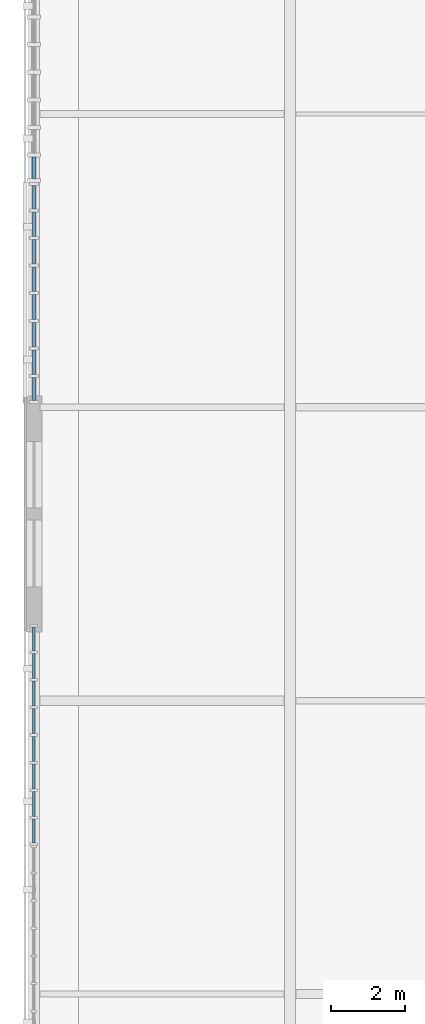
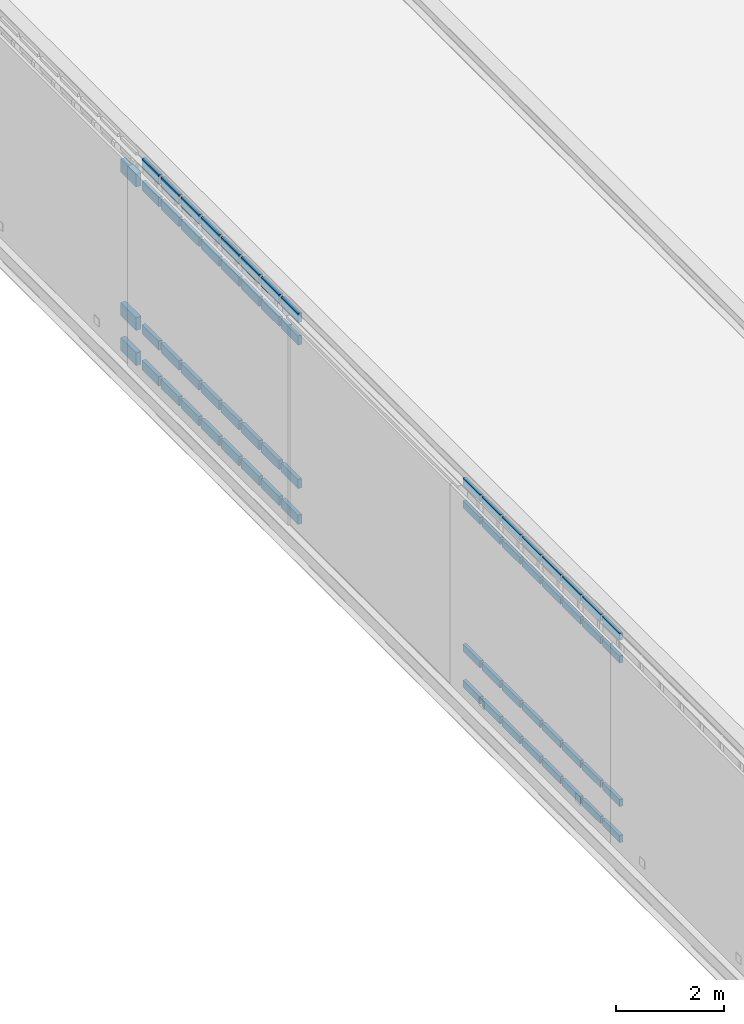
# One storey, part 55 of 135: 67 members, 3 elements without a shape of their own.
"""IFC4 building model written with IfcOpenShell, lengths in metres."""

from ifc_helpers import new_model, si_unit, direction, frame, origin, origin_2d, place, context, subcontext, project, spatial, rectangle, extrude, material, material_profile, profile_set, type_object, element, aggregate, save


model = new_model("IFC4")

# Units and contexts
model_context = context("Model", 3, precision=1e-05, world=origin(), true_north=direction((0.0, 1.0)))
body_context = subcontext(model_context, "Body", "Model", "MODEL_VIEW")
ifc_project = project(units=[si_unit("LENGTHUNIT", "METRE"), si_unit("AREAUNIT", "SQUARE_METRE"), si_unit("VOLUMEUNIT", "CUBIC_METRE"), si_unit("PLANEANGLEUNIT", "RADIAN"), si_unit("MASSUNIT", "GRAM", prefix="KILO")], contexts=[model_context])

# Site, building, storey
site_placement = place(None, origin())
site = spatial("IfcSite", under=ifc_project, at=site_placement, CompositionType="ELEMENT")
building_placement = place(site_placement, origin())
building = spatial("IfcBuilding", under=site, at=building_placement, Name="Larkvane Passage Sports Hall", CompositionType="ELEMENT")
storey_placement = place(building_placement, frame((0.0, 0.0, 16.800048828125)))
storey = spatial("IfcBuildingStorey", under=building, at=storey_placement, Name="L03", CompositionType="ELEMENT", Elevation=16.800048828125)

# Curtain wall, members
ifc_material_1 = material(Name="Thermally broken aluminium and low-E glazing", Category="aluminium")
curtain_wall_type_1 = type_object("IfcCurtainWallType", Name="CW-CLINIC", PredefinedType="USERDEFINED", material=ifc_material_1)
curtain_wall_1_placement = place(storey_placement, origin())
curtain_wall_1 = element("IfcCurtainWall", 1, at=curtain_wall_1_placement, inside=storey, type_object=curtain_wall_type_1, Name="Curtain wall CW5-L03-135", ObjectType="UNITISED CURTAIN WALL", PredefinedType="USERDEFINED")
ifc_material_2 = material(Name="Anodised aluminium 6063-T6", Category="aluminium")
ifc_material_profile_1 = material_profile(ifc_material_2, rectangle(XDim=0.110107421875, YDim=0.2900390625, at=origin_2d()), Name="ALU-TRN-110x290")
ifc_profile_set_1 = profile_set([ifc_material_profile_1], Name="Anodised aluminium 6063-T6")
member_type_1 = type_object("IfcMemberType", Name="CW-TRN-110x290", PredefinedType="USERDEFINED", material=ifc_profile_set_1)
member_1_placement = place(storey_placement, frame((0.0, 81.4599609375, 0.054931640625), z_axis=(0.0, 1.0, 0.0), x_axis=(-1.0, 0.0, 0.0)))
member_1 = element("IfcMember", 2, at=member_1_placement, type_object=member_type_1, Name="CW-05 transom 1.1", ObjectType="TRANSOM", PredefinedType="USERDEFINED", context=body_context, shape_type="SweptSolid", body=[
    extrude(rectangle(XDim=0.110107421875, YDim=0.2900390625, at=origin_2d()), origin(), (0.0, 0.0, 1.0), 0.578857421875),
])
member_2_placement = place(storey_placement, frame((0.0, 81.4599609375, 0.849853515625), z_axis=(0.0, 1.0, 0.0), x_axis=(-1.0, 0.0, 0.0)))
member_2 = element("IfcMember", 3, at=member_2_placement, type_object=member_type_1, Name="CW-05 transom 1.2", ObjectType="TRANSOM", PredefinedType="USERDEFINED", context=body_context, shape_type="SweptSolid", body=[
    extrude(rectangle(XDim=0.110107421875, YDim=0.2900390625, at=origin_2d()), origin(), (0.0, 0.0, 1.0), 0.578857421875),
])
member_3_placement = place(storey_placement, frame((0.0, 81.4599609375, 4.097900390625), z_axis=(0.0, 1.0, 0.0), x_axis=(-1.0, 0.0, 0.0)))
member_3 = element("IfcMember", 4, at=member_3_placement, type_object=member_type_1, Name="CW-05 transom 1.3", ObjectType="TRANSOM", PredefinedType="USERDEFINED", context=body_context, shape_type="SweptSolid", body=[
    extrude(rectangle(XDim=0.110107421875, YDim=0.2900390625, at=origin_2d()), origin(), (0.0, 0.0, 1.0), 0.578857421875),
])
aggregate(curtain_wall_1, [member_1, member_2, member_3])

curtain_wall_type_2 = type_object("IfcCurtainWallType", Name="CW-UNIT-VEIL", PredefinedType="USERDEFINED", material=ifc_material_1)
curtain_wall_2_placement = place(storey_placement, origin())
curtain_wall_2 = element("IfcCurtainWall", 5, at=curtain_wall_2_placement, inside=storey, type_object=curtain_wall_type_2, Name="Curtain wall CW5-L03-133", ObjectType="UNITISED CURTAIN WALL", PredefinedType="USERDEFINED")
ifc_material_profile_2 = material_profile(ifc_material_2, rectangle(XDim=0.070068359375, YDim=0.159912109375, at=origin_2d()), Name="ALU-TRN-70x160")
ifc_profile_set_2 = profile_set([ifc_material_profile_2], Name="Anodised aluminium 6063-T6")
member_type_2 = type_object("IfcMemberType", Name="CW-TRN-70x160", PredefinedType="USERDEFINED", material=ifc_profile_set_2)
member_4_placement = place(storey_placement, frame((0.0, 63.570068359375, 0.034912109375), z_axis=(0.0, 1.0, 0.0), x_axis=(-1.0, 0.0, 0.0)))
member_4 = element("IfcMember", 6, at=member_4_placement, type_object=member_type_2, Name="CW-02 transom 1.1", ObjectType="TRANSOM", PredefinedType="USERDEFINED", context=body_context, shape_type="SweptSolid", body=[
    extrude(rectangle(XDim=0.070068359375, YDim=0.159912109375, at=origin_2d()), origin(), (0.0, 0.0, 1.0), 0.638671875),
])
member_5_placement = place(storey_placement, frame((0.0, 63.570068359375, 0.849853515625), z_axis=(0.0, 1.0, 0.0), x_axis=(-1.0, 0.0, 0.0)))
member_5 = element("IfcMember", 7, at=member_5_placement, type_object=member_type_2, Name="CW-02 transom 1.2", ObjectType="TRANSOM", PredefinedType="USERDEFINED", context=body_context, shape_type="SweptSolid", body=[
    extrude(rectangle(XDim=0.070068359375, YDim=0.159912109375, at=origin_2d()), origin(), (0.0, 0.0, 1.0), 0.638671875),
])
member_6_placement = place(storey_placement, frame((0.0, 63.570068359375, 4.097900390625), z_axis=(0.0, 1.0, 0.0), x_axis=(-1.0, 0.0, 0.0)))
member_6 = element("IfcMember", 8, at=member_6_placement, type_object=member_type_2, Name="CW-02 transom 1.3", ObjectType="TRANSOM", PredefinedType="USERDEFINED", context=body_context, shape_type="SweptSolid", body=[
    extrude(rectangle(XDim=0.070068359375, YDim=0.159912109375, at=origin_2d()), origin(), (0.0, 0.0, 1.0), 0.638671875),
])
member_7_placement = place(storey_placement, frame((0.0, 63.570068359375, 4.613037109375), z_axis=(0.0, 1.0, 0.0), x_axis=(-1.0, 0.0, 0.0)))
member_7 = element("IfcMember", 9, at=member_7_placement, type_object=member_type_2, Name="CW-02 transom 1.4", ObjectType="TRANSOM", PredefinedType="USERDEFINED", context=body_context, shape_type="SweptSolid", body=[
    extrude(rectangle(XDim=0.070068359375, YDim=0.159912109375, at=origin_2d()), origin(), (0.0, 0.0, 1.0), 0.638671875),
])
member_8_placement = place(storey_placement, frame((0.0, 64.27880859375, 0.034912109375), z_axis=(0.0, 1.0, 0.0), x_axis=(-1.0, 0.0, 0.0)))
member_8 = element("IfcMember", 10, at=member_8_placement, type_object=member_type_2, Name="CW-02 transom 2.1", ObjectType="TRANSOM", PredefinedType="USERDEFINED", context=body_context, shape_type="SweptSolid", body=[
    extrude(rectangle(XDim=0.070068359375, YDim=0.159912109375, at=origin_2d()), origin(), (0.0, 0.0, 1.0), 0.673583984375),
])
member_9_placement = place(storey_placement, frame((0.0, 64.27880859375, 0.849853515625), z_axis=(0.0, 1.0, 0.0), x_axis=(-1.0, 0.0, 0.0)))
member_9 = element("IfcMember", 11, at=member_9_placement, type_object=member_type_2, Name="CW-02 transom 2.2", ObjectType="TRANSOM", PredefinedType="USERDEFINED", context=body_context, shape_type="SweptSolid", body=[
    extrude(rectangle(XDim=0.070068359375, YDim=0.159912109375, at=origin_2d()), origin(), (0.0, 0.0, 1.0), 0.673583984375),
])
member_10_placement = place(storey_placement, frame((0.0, 64.27880859375, 4.097900390625), z_axis=(0.0, 1.0, 0.0), x_axis=(-1.0, 0.0, 0.0)))
member_10 = element("IfcMember", 12, at=member_10_placement, type_object=member_type_2, Name="CW-02 transom 2.3", ObjectType="TRANSOM", PredefinedType="USERDEFINED", context=body_context, shape_type="SweptSolid", body=[
    extrude(rectangle(XDim=0.070068359375, YDim=0.159912109375, at=origin_2d()), origin(), (0.0, 0.0, 1.0), 0.673583984375),
])
member_11_placement = place(storey_placement, frame((0.0, 64.27880859375, 4.613037109375), z_axis=(0.0, 1.0, 0.0), x_axis=(-1.0, 0.0, 0.0)))
member_11 = element("IfcMember", 13, at=member_11_placement, type_object=member_type_2, Name="CW-02 transom 2.4", ObjectType="TRANSOM", PredefinedType="USERDEFINED", context=body_context, shape_type="SweptSolid", body=[
    extrude(rectangle(XDim=0.070068359375, YDim=0.159912109375, at=origin_2d()), origin(), (0.0, 0.0, 1.0), 0.673583984375),
])
member_12_placement = place(storey_placement, frame((0.0, 65.0224609375, 0.034912109375), z_axis=(0.0, 1.0, 0.0), x_axis=(-1.0, 0.0, 0.0)))
member_12 = element("IfcMember", 14, at=member_12_placement, type_object=member_type_2, Name="CW-02 transom 3.1", ObjectType="TRANSOM", PredefinedType="USERDEFINED", context=body_context, shape_type="SweptSolid", body=[
    extrude(rectangle(XDim=0.070068359375, YDim=0.159912109375, at=origin_2d()), origin(), (0.0, 0.0, 1.0), 0.673828125),
])
member_13_placement = place(storey_placement, frame((0.0, 65.0224609375, 0.849853515625), z_axis=(0.0, 1.0, 0.0), x_axis=(-1.0, 0.0, 0.0)))
member_13 = element("IfcMember", 15, at=member_13_placement, type_object=member_type_2, Name="CW-02 transom 3.2", ObjectType="TRANSOM", PredefinedType="USERDEFINED", context=body_context, shape_type="SweptSolid", body=[
    extrude(rectangle(XDim=0.070068359375, YDim=0.159912109375, at=origin_2d()), origin(), (0.0, 0.0, 1.0), 0.673828125),
])
member_14_placement = place(storey_placement, frame((0.0, 65.0224609375, 4.097900390625), z_axis=(0.0, 1.0, 0.0), x_axis=(-1.0, 0.0, 0.0)))
member_14 = element("IfcMember", 16, at=member_14_placement, type_object=member_type_2, Name="CW-02 transom 3.3", ObjectType="TRANSOM", PredefinedType="USERDEFINED", context=body_context, shape_type="SweptSolid", body=[
    extrude(rectangle(XDim=0.070068359375, YDim=0.159912109375, at=origin_2d()), origin(), (0.0, 0.0, 1.0), 0.673828125),
])
member_15_placement = place(storey_placement, frame((0.0, 65.0224609375, 4.613037109375), z_axis=(0.0, 1.0, 0.0), x_axis=(-1.0, 0.0, 0.0)))
member_15 = element("IfcMember", 17, at=member_15_placement, type_object=member_type_2, Name="CW-02 transom 3.4", ObjectType="TRANSOM", PredefinedType="USERDEFINED", context=body_context, shape_type="SweptSolid", body=[
    extrude(rectangle(XDim=0.070068359375, YDim=0.159912109375, at=origin_2d()), origin(), (0.0, 0.0, 1.0), 0.673828125),
])
member_16_placement = place(storey_placement, frame((0.0, 65.766357421875, 0.034912109375), z_axis=(0.0, 1.0, 0.0), x_axis=(-1.0, 0.0, 0.0)))
member_16 = element("IfcMember", 18, at=member_16_placement, type_object=member_type_2, Name="CW-02 transom 4.1", ObjectType="TRANSOM", PredefinedType="USERDEFINED", context=body_context, shape_type="SweptSolid", body=[
    extrude(rectangle(XDim=0.070068359375, YDim=0.159912109375, at=origin_2d()), origin(), (0.0, 0.0, 1.0), 0.673583984375),
])
member_17_placement = place(storey_placement, frame((0.0, 65.766357421875, 0.849853515625), z_axis=(0.0, 1.0, 0.0), x_axis=(-1.0, 0.0, 0.0)))
member_17 = element("IfcMember", 19, at=member_17_placement, type_object=member_type_2, Name="CW-02 transom 4.2", ObjectType="TRANSOM", PredefinedType="USERDEFINED", context=body_context, shape_type="SweptSolid", body=[
    extrude(rectangle(XDim=0.070068359375, YDim=0.159912109375, at=origin_2d()), origin(), (0.0, 0.0, 1.0), 0.673583984375),
])
member_18_placement = place(storey_placement, frame((0.0, 65.766357421875, 4.097900390625), z_axis=(0.0, 1.0, 0.0), x_axis=(-1.0, 0.0, 0.0)))
member_18 = element("IfcMember", 20, at=member_18_placement, type_object=member_type_2, Name="CW-02 transom 4.3", ObjectType="TRANSOM", PredefinedType="USERDEFINED", context=body_context, shape_type="SweptSolid", body=[
    extrude(rectangle(XDim=0.070068359375, YDim=0.159912109375, at=origin_2d()), origin(), (0.0, 0.0, 1.0), 0.673583984375),
])
member_19_placement = place(storey_placement, frame((0.0, 65.766357421875, 4.613037109375), z_axis=(0.0, 1.0, 0.0), x_axis=(-1.0, 0.0, 0.0)))
member_19 = element("IfcMember", 21, at=member_19_placement, type_object=member_type_2, Name="CW-02 transom 4.4", ObjectType="TRANSOM", PredefinedType="USERDEFINED", context=body_context, shape_type="SweptSolid", body=[
    extrude(rectangle(XDim=0.070068359375, YDim=0.159912109375, at=origin_2d()), origin(), (0.0, 0.0, 1.0), 0.673583984375),
])
member_20_placement = place(storey_placement, frame((0.0, 66.510009765625, 0.034912109375), z_axis=(0.0, 1.0, 0.0), x_axis=(-1.0, 0.0, 0.0)))
member_20 = element("IfcMember", 22, at=member_20_placement, type_object=member_type_2, Name="CW-02 transom 5.1", ObjectType="TRANSOM", PredefinedType="USERDEFINED", context=body_context, shape_type="SweptSolid", body=[
    extrude(rectangle(XDim=0.070068359375, YDim=0.159912109375, at=origin_2d()), origin(), (0.0, 0.0, 1.0), 0.673828125),
])
member_21_placement = place(storey_placement, frame((0.0, 66.510009765625, 0.849853515625), z_axis=(0.0, 1.0, 0.0), x_axis=(-1.0, 0.0, 0.0)))
member_21 = element("IfcMember", 23, at=member_21_placement, type_object=member_type_2, Name="CW-02 transom 5.2", ObjectType="TRANSOM", PredefinedType="USERDEFINED", context=body_context, shape_type="SweptSolid", body=[
    extrude(rectangle(XDim=0.070068359375, YDim=0.159912109375, at=origin_2d()), origin(), (0.0, 0.0, 1.0), 0.673828125),
])
member_22_placement = place(storey_placement, frame((0.0, 66.510009765625, 4.097900390625), z_axis=(0.0, 1.0, 0.0), x_axis=(-1.0, 0.0, 0.0)))
member_22 = element("IfcMember", 24, at=member_22_placement, type_object=member_type_2, Name="CW-02 transom 5.3", ObjectType="TRANSOM", PredefinedType="USERDEFINED", context=body_context, shape_type="SweptSolid", body=[
    extrude(rectangle(XDim=0.070068359375, YDim=0.159912109375, at=origin_2d()), origin(), (0.0, 0.0, 1.0), 0.673828125),
])
member_23_placement = place(storey_placement, frame((0.0, 66.510009765625, 4.613037109375), z_axis=(0.0, 1.0, 0.0), x_axis=(-1.0, 0.0, 0.0)))
member_23 = element("IfcMember", 25, at=member_23_placement, type_object=member_type_2, Name="CW-02 transom 5.4", ObjectType="TRANSOM", PredefinedType="USERDEFINED", context=body_context, shape_type="SweptSolid", body=[
    extrude(rectangle(XDim=0.070068359375, YDim=0.159912109375, at=origin_2d()), origin(), (0.0, 0.0, 1.0), 0.673828125),
])
member_24_placement = place(storey_placement, frame((0.0, 67.253662109375, 0.034912109375), z_axis=(0.0, 1.0, 0.0), x_axis=(-1.0, 0.0, 0.0)))
member_24 = element("IfcMember", 26, at=member_24_placement, type_object=member_type_2, Name="CW-02 transom 6.1", ObjectType="TRANSOM", PredefinedType="USERDEFINED", context=body_context, shape_type="SweptSolid", body=[
    extrude(rectangle(XDim=0.070068359375, YDim=0.159912109375, at=origin_2d()), origin(), (0.0, 0.0, 1.0), 0.673828125),
])
member_25_placement = place(storey_placement, frame((0.0, 67.253662109375, 0.849853515625), z_axis=(0.0, 1.0, 0.0), x_axis=(-1.0, 0.0, 0.0)))
member_25 = element("IfcMember", 27, at=member_25_placement, type_object=member_type_2, Name="CW-02 transom 6.2", ObjectType="TRANSOM", PredefinedType="USERDEFINED", context=body_context, shape_type="SweptSolid", body=[
    extrude(rectangle(XDim=0.070068359375, YDim=0.159912109375, at=origin_2d()), origin(), (0.0, 0.0, 1.0), 0.673828125),
])
member_26_placement = place(storey_placement, frame((0.0, 67.253662109375, 4.097900390625), z_axis=(0.0, 1.0, 0.0), x_axis=(-1.0, 0.0, 0.0)))
member_26 = element("IfcMember", 28, at=member_26_placement, type_object=member_type_2, Name="CW-02 transom 6.3", ObjectType="TRANSOM", PredefinedType="USERDEFINED", context=body_context, shape_type="SweptSolid", body=[
    extrude(rectangle(XDim=0.070068359375, YDim=0.159912109375, at=origin_2d()), origin(), (0.0, 0.0, 1.0), 0.673828125),
])
member_27_placement = place(storey_placement, frame((0.0, 67.253662109375, 4.613037109375), z_axis=(0.0, 1.0, 0.0), x_axis=(-1.0, 0.0, 0.0)))
member_27 = element("IfcMember", 29, at=member_27_placement, type_object=member_type_2, Name="CW-02 transom 6.4", ObjectType="TRANSOM", PredefinedType="USERDEFINED", context=body_context, shape_type="SweptSolid", body=[
    extrude(rectangle(XDim=0.070068359375, YDim=0.159912109375, at=origin_2d()), origin(), (0.0, 0.0, 1.0), 0.673828125),
])
member_28_placement = place(storey_placement, frame((0.0, 67.99755859375, 0.034912109375), z_axis=(0.0, 1.0, 0.0), x_axis=(-1.0, 0.0, 0.0)))
member_28 = element("IfcMember", 30, at=member_28_placement, type_object=member_type_2, Name="CW-02 transom 7.1", ObjectType="TRANSOM", PredefinedType="USERDEFINED", context=body_context, shape_type="SweptSolid", body=[
    extrude(rectangle(XDim=0.070068359375, YDim=0.159912109375, at=origin_2d()), origin(), (0.0, 0.0, 1.0), 0.673583984375),
])
member_29_placement = place(storey_placement, frame((0.0, 67.99755859375, 0.849853515625), z_axis=(0.0, 1.0, 0.0), x_axis=(-1.0, 0.0, 0.0)))
member_29 = element("IfcMember", 31, at=member_29_placement, type_object=member_type_2, Name="CW-02 transom 7.2", ObjectType="TRANSOM", PredefinedType="USERDEFINED", context=body_context, shape_type="SweptSolid", body=[
    extrude(rectangle(XDim=0.070068359375, YDim=0.159912109375, at=origin_2d()), origin(), (0.0, 0.0, 1.0), 0.673583984375),
])
member_30_placement = place(storey_placement, frame((0.0, 67.99755859375, 4.097900390625), z_axis=(0.0, 1.0, 0.0), x_axis=(-1.0, 0.0, 0.0)))
member_30 = element("IfcMember", 32, at=member_30_placement, type_object=member_type_2, Name="CW-02 transom 7.3", ObjectType="TRANSOM", PredefinedType="USERDEFINED", context=body_context, shape_type="SweptSolid", body=[
    extrude(rectangle(XDim=0.070068359375, YDim=0.159912109375, at=origin_2d()), origin(), (0.0, 0.0, 1.0), 0.673583984375),
])
member_31_placement = place(storey_placement, frame((0.0, 67.99755859375, 4.613037109375), z_axis=(0.0, 1.0, 0.0), x_axis=(-1.0, 0.0, 0.0)))
member_31 = element("IfcMember", 33, at=member_31_placement, type_object=member_type_2, Name="CW-02 transom 7.4", ObjectType="TRANSOM", PredefinedType="USERDEFINED", context=body_context, shape_type="SweptSolid", body=[
    extrude(rectangle(XDim=0.070068359375, YDim=0.159912109375, at=origin_2d()), origin(), (0.0, 0.0, 1.0), 0.673583984375),
])
member_32_placement = place(storey_placement, frame((0.0, 68.7412109375, 0.034912109375), z_axis=(0.0, 1.0, 0.0), x_axis=(-1.0, 0.0, 0.0)))
member_32 = element("IfcMember", 34, at=member_32_placement, type_object=member_type_2, Name="CW-02 transom 8.1", ObjectType="TRANSOM", PredefinedType="USERDEFINED", context=body_context, shape_type="SweptSolid", body=[
    extrude(rectangle(XDim=0.070068359375, YDim=0.159912109375, at=origin_2d()), origin(), (0.0, 0.0, 1.0), 0.638671875),
])
member_33_placement = place(storey_placement, frame((0.0, 68.7412109375, 0.849853515625), z_axis=(0.0, 1.0, 0.0), x_axis=(-1.0, 0.0, 0.0)))
member_33 = element("IfcMember", 35, at=member_33_placement, type_object=member_type_2, Name="CW-02 transom 8.2", ObjectType="TRANSOM", PredefinedType="USERDEFINED", context=body_context, shape_type="SweptSolid", body=[
    extrude(rectangle(XDim=0.070068359375, YDim=0.159912109375, at=origin_2d()), origin(), (0.0, 0.0, 1.0), 0.638671875),
])
member_34_placement = place(storey_placement, frame((0.0, 68.7412109375, 4.097900390625), z_axis=(0.0, 1.0, 0.0), x_axis=(-1.0, 0.0, 0.0)))
member_34 = element("IfcMember", 36, at=member_34_placement, type_object=member_type_2, Name="CW-02 transom 8.3", ObjectType="TRANSOM", PredefinedType="USERDEFINED", context=body_context, shape_type="SweptSolid", body=[
    extrude(rectangle(XDim=0.070068359375, YDim=0.159912109375, at=origin_2d()), origin(), (0.0, 0.0, 1.0), 0.638671875),
])
member_35_placement = place(storey_placement, frame((0.0, 68.7412109375, 4.613037109375), z_axis=(0.0, 1.0, 0.0), x_axis=(-1.0, 0.0, 0.0)))
member_35 = element("IfcMember", 37, at=member_35_placement, type_object=member_type_2, Name="CW-02 transom 8.4", ObjectType="TRANSOM", PredefinedType="USERDEFINED", context=body_context, shape_type="SweptSolid", body=[
    extrude(rectangle(XDim=0.070068359375, YDim=0.159912109375, at=origin_2d()), origin(), (0.0, 0.0, 1.0), 0.638671875),
])
aggregate(curtain_wall_2, [member_4, member_5, member_6, member_7, member_8, member_9, member_10, member_11, member_12, member_13, member_14, member_15, member_16, member_17, member_18, member_19, member_20, member_21, member_22, member_23, member_24, member_25, member_26, member_27, member_28, member_29, member_30, member_31, member_32, member_33, member_34, member_35])

curtain_wall_type_3 = type_object("IfcCurtainWallType", Name="CW-STICK-FOYER", PredefinedType="USERDEFINED", material=ifc_material_1)
curtain_wall_3_placement = place(storey_placement, origin())
curtain_wall_3 = element("IfcCurtainWall", 38, at=curtain_wall_3_placement, inside=storey, type_object=curtain_wall_type_3, Name="Curtain wall CW5-L03-134", ObjectType="STICK CURTAIN WALL", PredefinedType="USERDEFINED")
ifc_material_profile_3 = material_profile(ifc_material_2, rectangle(XDim=0.080078125, YDim=0.2099609375, at=origin_2d()), Name="ALU-TRN-80x210")
ifc_profile_set_3 = profile_set([ifc_material_profile_3], Name="Anodised aluminium 6063-T6")
member_type_3 = type_object("IfcMemberType", Name="CW-TRN-80x210", PredefinedType="USERDEFINED", material=ifc_profile_set_3)
member_36_placement = place(storey_placement, frame((0.0, 75.47998046875, 0.0400390625), z_axis=(0.0, 1.0, 0.0), x_axis=(-1.0, 0.0, 0.0)))
member_36 = element("IfcMember", 39, at=member_36_placement, type_object=member_type_3, Name="CW-03 transom 1.1", ObjectType="TRANSOM", PredefinedType="USERDEFINED", context=body_context, shape_type="SweptSolid", body=[
    extrude(rectangle(XDim=0.080078125, YDim=0.2099609375, at=origin_2d()), origin(), (0.0, 0.0, 1.0), 0.623779296875),
])
member_37_placement = place(storey_placement, frame((0.0, 75.47998046875, 0.849853515625), z_axis=(0.0, 1.0, 0.0), x_axis=(-1.0, 0.0, 0.0)))
member_37 = element("IfcMember", 40, at=member_37_placement, type_object=member_type_3, Name="CW-03 transom 1.2", ObjectType="TRANSOM", PredefinedType="USERDEFINED", context=body_context, shape_type="SweptSolid", body=[
    extrude(rectangle(XDim=0.080078125, YDim=0.2099609375, at=origin_2d()), origin(), (0.0, 0.0, 1.0), 0.623779296875),
])
member_38_placement = place(storey_placement, frame((0.0, 75.47998046875, 4.097900390625), z_axis=(0.0, 1.0, 0.0), x_axis=(-1.0, 0.0, 0.0)))
member_38 = element("IfcMember", 41, at=member_38_placement, type_object=member_type_3, Name="CW-03 transom 1.3", ObjectType="TRANSOM", PredefinedType="USERDEFINED", context=body_context, shape_type="SweptSolid", body=[
    extrude(rectangle(XDim=0.080078125, YDim=0.2099609375, at=origin_2d()), origin(), (0.0, 0.0, 1.0), 0.623779296875),
])
member_39_placement = place(storey_placement, frame((0.0, 75.47998046875, 4.60791015625), z_axis=(0.0, 1.0, 0.0), x_axis=(-1.0, 0.0, 0.0)))
member_39 = element("IfcMember", 42, at=member_39_placement, type_object=member_type_3, Name="CW-03 transom 1.4", ObjectType="TRANSOM", PredefinedType="USERDEFINED", context=body_context, shape_type="SweptSolid", body=[
    extrude(rectangle(XDim=0.080078125, YDim=0.2099609375, at=origin_2d()), origin(), (0.0, 0.0, 1.0), 0.623779296875),
])
member_40_placement = place(storey_placement, frame((0.0, 76.183837890625, 0.0400390625), z_axis=(0.0, 1.0, 0.0), x_axis=(-1.0, 0.0, 0.0)))
member_40 = element("IfcMember", 43, at=member_40_placement, type_object=member_type_3, Name="CW-03 transom 2.1", ObjectType="TRANSOM", PredefinedType="USERDEFINED", context=body_context, shape_type="SweptSolid", body=[
    extrude(rectangle(XDim=0.080078125, YDim=0.2099609375, at=origin_2d()), origin(), (0.0, 0.0, 1.0), 0.66357421875),
])
member_41_placement = place(storey_placement, frame((0.0, 76.183837890625, 0.849853515625), z_axis=(0.0, 1.0, 0.0), x_axis=(-1.0, 0.0, 0.0)))
member_41 = element("IfcMember", 44, at=member_41_placement, type_object=member_type_3, Name="CW-03 transom 2.2", ObjectType="TRANSOM", PredefinedType="USERDEFINED", context=body_context, shape_type="SweptSolid", body=[
    extrude(rectangle(XDim=0.080078125, YDim=0.2099609375, at=origin_2d()), origin(), (0.0, 0.0, 1.0), 0.66357421875),
])
member_42_placement = place(storey_placement, frame((0.0, 76.183837890625, 4.097900390625), z_axis=(0.0, 1.0, 0.0), x_axis=(-1.0, 0.0, 0.0)))
member_42 = element("IfcMember", 45, at=member_42_placement, type_object=member_type_3, Name="CW-03 transom 2.3", ObjectType="TRANSOM", PredefinedType="USERDEFINED", context=body_context, shape_type="SweptSolid", body=[
    extrude(rectangle(XDim=0.080078125, YDim=0.2099609375, at=origin_2d()), origin(), (0.0, 0.0, 1.0), 0.66357421875),
])
member_43_placement = place(storey_placement, frame((0.0, 76.183837890625, 4.60791015625), z_axis=(0.0, 1.0, 0.0), x_axis=(-1.0, 0.0, 0.0)))
member_43 = element("IfcMember", 46, at=member_43_placement, type_object=member_type_3, Name="CW-03 transom 2.4", ObjectType="TRANSOM", PredefinedType="USERDEFINED", context=body_context, shape_type="SweptSolid", body=[
    extrude(rectangle(XDim=0.080078125, YDim=0.2099609375, at=origin_2d()), origin(), (0.0, 0.0, 1.0), 0.66357421875),
])
member_44_placement = place(storey_placement, frame((0.0, 76.927490234375, 0.0400390625), z_axis=(0.0, 1.0, 0.0), x_axis=(-1.0, 0.0, 0.0)))
member_44 = element("IfcMember", 47, at=member_44_placement, type_object=member_type_3, Name="CW-03 transom 3.1", ObjectType="TRANSOM", PredefinedType="USERDEFINED", context=body_context, shape_type="SweptSolid", body=[
    extrude(rectangle(XDim=0.080078125, YDim=0.2099609375, at=origin_2d()), origin(), (0.0, 0.0, 1.0), 0.663818359375),
])
member_45_placement = place(storey_placement, frame((0.0, 76.927490234375, 0.849853515625), z_axis=(0.0, 1.0, 0.0), x_axis=(-1.0, 0.0, 0.0)))
member_45 = element("IfcMember", 48, at=member_45_placement, type_object=member_type_3, Name="CW-03 transom 3.2", ObjectType="TRANSOM", PredefinedType="USERDEFINED", context=body_context, shape_type="SweptSolid", body=[
    extrude(rectangle(XDim=0.080078125, YDim=0.2099609375, at=origin_2d()), origin(), (0.0, 0.0, 1.0), 0.663818359375),
])
member_46_placement = place(storey_placement, frame((0.0, 76.927490234375, 4.097900390625), z_axis=(0.0, 1.0, 0.0), x_axis=(-1.0, 0.0, 0.0)))
member_46 = element("IfcMember", 49, at=member_46_placement, type_object=member_type_3, Name="CW-03 transom 3.3", ObjectType="TRANSOM", PredefinedType="USERDEFINED", context=body_context, shape_type="SweptSolid", body=[
    extrude(rectangle(XDim=0.080078125, YDim=0.2099609375, at=origin_2d()), origin(), (0.0, 0.0, 1.0), 0.663818359375),
])
member_47_placement = place(storey_placement, frame((0.0, 76.927490234375, 4.60791015625), z_axis=(0.0, 1.0, 0.0), x_axis=(-1.0, 0.0, 0.0)))
member_47 = element("IfcMember", 50, at=member_47_placement, type_object=member_type_3, Name="CW-03 transom 3.4", ObjectType="TRANSOM", PredefinedType="USERDEFINED", context=body_context, shape_type="SweptSolid", body=[
    extrude(rectangle(XDim=0.080078125, YDim=0.2099609375, at=origin_2d()), origin(), (0.0, 0.0, 1.0), 0.663818359375),
])
member_48_placement = place(storey_placement, frame((0.0, 77.671142578125, 0.0400390625), z_axis=(0.0, 1.0, 0.0), x_axis=(-1.0, 0.0, 0.0)))
member_48 = element("IfcMember", 51, at=member_48_placement, type_object=member_type_3, Name="CW-03 transom 4.1", ObjectType="TRANSOM", PredefinedType="USERDEFINED", context=body_context, shape_type="SweptSolid", body=[
    extrude(rectangle(XDim=0.080078125, YDim=0.2099609375, at=origin_2d()), origin(), (0.0, 0.0, 1.0), 0.663818359375),
])
member_49_placement = place(storey_placement, frame((0.0, 77.671142578125, 0.849853515625), z_axis=(0.0, 1.0, 0.0), x_axis=(-1.0, 0.0, 0.0)))
member_49 = element("IfcMember", 52, at=member_49_placement, type_object=member_type_3, Name="CW-03 transom 4.2", ObjectType="TRANSOM", PredefinedType="USERDEFINED", context=body_context, shape_type="SweptSolid", body=[
    extrude(rectangle(XDim=0.080078125, YDim=0.2099609375, at=origin_2d()), origin(), (0.0, 0.0, 1.0), 0.663818359375),
])
member_50_placement = place(storey_placement, frame((0.0, 77.671142578125, 4.097900390625), z_axis=(0.0, 1.0, 0.0), x_axis=(-1.0, 0.0, 0.0)))
member_50 = element("IfcMember", 53, at=member_50_placement, type_object=member_type_3, Name="CW-03 transom 4.3", ObjectType="TRANSOM", PredefinedType="USERDEFINED", context=body_context, shape_type="SweptSolid", body=[
    extrude(rectangle(XDim=0.080078125, YDim=0.2099609375, at=origin_2d()), origin(), (0.0, 0.0, 1.0), 0.663818359375),
])
member_51_placement = place(storey_placement, frame((0.0, 77.671142578125, 4.60791015625), z_axis=(0.0, 1.0, 0.0), x_axis=(-1.0, 0.0, 0.0)))
member_51 = element("IfcMember", 54, at=member_51_placement, type_object=member_type_3, Name="CW-03 transom 4.4", ObjectType="TRANSOM", PredefinedType="USERDEFINED", context=body_context, shape_type="SweptSolid", body=[
    extrude(rectangle(XDim=0.080078125, YDim=0.2099609375, at=origin_2d()), origin(), (0.0, 0.0, 1.0), 0.663818359375),
])
member_52_placement = place(storey_placement, frame((0.0, 78.4150390625, 0.0400390625), z_axis=(0.0, 1.0, 0.0), x_axis=(-1.0, 0.0, 0.0)))
member_52 = element("IfcMember", 55, at=member_52_placement, type_object=member_type_3, Name="CW-03 transom 5.1", ObjectType="TRANSOM", PredefinedType="USERDEFINED", context=body_context, shape_type="SweptSolid", body=[
    extrude(rectangle(XDim=0.080078125, YDim=0.2099609375, at=origin_2d()), origin(), (0.0, 0.0, 1.0), 0.663818359375),
])
member_53_placement = place(storey_placement, frame((0.0, 78.4150390625, 0.849853515625), z_axis=(0.0, 1.0, 0.0), x_axis=(-1.0, 0.0, 0.0)))
member_53 = element("IfcMember", 56, at=member_53_placement, type_object=member_type_3, Name="CW-03 transom 5.2", ObjectType="TRANSOM", PredefinedType="USERDEFINED", context=body_context, shape_type="SweptSolid", body=[
    extrude(rectangle(XDim=0.080078125, YDim=0.2099609375, at=origin_2d()), origin(), (0.0, 0.0, 1.0), 0.663818359375),
])
member_54_placement = place(storey_placement, frame((0.0, 78.4150390625, 4.097900390625), z_axis=(0.0, 1.0, 0.0), x_axis=(-1.0, 0.0, 0.0)))
member_54 = element("IfcMember", 57, at=member_54_placement, type_object=member_type_3, Name="CW-03 transom 5.3", ObjectType="TRANSOM", PredefinedType="USERDEFINED", context=body_context, shape_type="SweptSolid", body=[
    extrude(rectangle(XDim=0.080078125, YDim=0.2099609375, at=origin_2d()), origin(), (0.0, 0.0, 1.0), 0.663818359375),
])
member_55_placement = place(storey_placement, frame((0.0, 78.4150390625, 4.60791015625), z_axis=(0.0, 1.0, 0.0), x_axis=(-1.0, 0.0, 0.0)))
member_55 = element("IfcMember", 58, at=member_55_placement, type_object=member_type_3, Name="CW-03 transom 5.4", ObjectType="TRANSOM", PredefinedType="USERDEFINED", context=body_context, shape_type="SweptSolid", body=[
    extrude(rectangle(XDim=0.080078125, YDim=0.2099609375, at=origin_2d()), origin(), (0.0, 0.0, 1.0), 0.663818359375),
])
member_56_placement = place(storey_placement, frame((0.0, 79.15869140625, 0.0400390625), z_axis=(0.0, 1.0, 0.0), x_axis=(-1.0, 0.0, 0.0)))
member_56 = element("IfcMember", 59, at=member_56_placement, type_object=member_type_3, Name="CW-03 transom 6.1", ObjectType="TRANSOM", PredefinedType="USERDEFINED", context=body_context, shape_type="SweptSolid", body=[
    extrude(rectangle(XDim=0.080078125, YDim=0.2099609375, at=origin_2d()), origin(), (0.0, 0.0, 1.0), 0.663818359375),
])
member_57_placement = place(storey_placement, frame((0.0, 79.15869140625, 0.849853515625), z_axis=(0.0, 1.0, 0.0), x_axis=(-1.0, 0.0, 0.0)))
member_57 = element("IfcMember", 60, at=member_57_placement, type_object=member_type_3, Name="CW-03 transom 6.2", ObjectType="TRANSOM", PredefinedType="USERDEFINED", context=body_context, shape_type="SweptSolid", body=[
    extrude(rectangle(XDim=0.080078125, YDim=0.2099609375, at=origin_2d()), origin(), (0.0, 0.0, 1.0), 0.663818359375),
])
member_58_placement = place(storey_placement, frame((0.0, 79.15869140625, 4.097900390625), z_axis=(0.0, 1.0, 0.0), x_axis=(-1.0, 0.0, 0.0)))
member_58 = element("IfcMember", 61, at=member_58_placement, type_object=member_type_3, Name="CW-03 transom 6.3", ObjectType="TRANSOM", PredefinedType="USERDEFINED", context=body_context, shape_type="SweptSolid", body=[
    extrude(rectangle(XDim=0.080078125, YDim=0.2099609375, at=origin_2d()), origin(), (0.0, 0.0, 1.0), 0.663818359375),
])
member_59_placement = place(storey_placement, frame((0.0, 79.15869140625, 4.60791015625), z_axis=(0.0, 1.0, 0.0), x_axis=(-1.0, 0.0, 0.0)))
member_59 = element("IfcMember", 62, at=member_59_placement, type_object=member_type_3, Name="CW-03 transom 6.4", ObjectType="TRANSOM", PredefinedType="USERDEFINED", context=body_context, shape_type="SweptSolid", body=[
    extrude(rectangle(XDim=0.080078125, YDim=0.2099609375, at=origin_2d()), origin(), (0.0, 0.0, 1.0), 0.663818359375),
])
member_60_placement = place(storey_placement, frame((0.0, 79.902587890625, 0.0400390625), z_axis=(0.0, 1.0, 0.0), x_axis=(-1.0, 0.0, 0.0)))
member_60 = element("IfcMember", 63, at=member_60_placement, type_object=member_type_3, Name="CW-03 transom 7.1", ObjectType="TRANSOM", PredefinedType="USERDEFINED", context=body_context, shape_type="SweptSolid", body=[
    extrude(rectangle(XDim=0.080078125, YDim=0.2099609375, at=origin_2d()), origin(), (0.0, 0.0, 1.0), 0.66357421875),
])
member_61_placement = place(storey_placement, frame((0.0, 79.902587890625, 0.849853515625), z_axis=(0.0, 1.0, 0.0), x_axis=(-1.0, 0.0, 0.0)))
member_61 = element("IfcMember", 64, at=member_61_placement, type_object=member_type_3, Name="CW-03 transom 7.2", ObjectType="TRANSOM", PredefinedType="USERDEFINED", context=body_context, shape_type="SweptSolid", body=[
    extrude(rectangle(XDim=0.080078125, YDim=0.2099609375, at=origin_2d()), origin(), (0.0, 0.0, 1.0), 0.66357421875),
])
member_62_placement = place(storey_placement, frame((0.0, 79.902587890625, 4.097900390625), z_axis=(0.0, 1.0, 0.0), x_axis=(-1.0, 0.0, 0.0)))
member_62 = element("IfcMember", 65, at=member_62_placement, type_object=member_type_3, Name="CW-03 transom 7.3", ObjectType="TRANSOM", PredefinedType="USERDEFINED", context=body_context, shape_type="SweptSolid", body=[
    extrude(rectangle(XDim=0.080078125, YDim=0.2099609375, at=origin_2d()), origin(), (0.0, 0.0, 1.0), 0.66357421875),
])
member_63_placement = place(storey_placement, frame((0.0, 79.902587890625, 4.60791015625), z_axis=(0.0, 1.0, 0.0), x_axis=(-1.0, 0.0, 0.0)))
member_63 = element("IfcMember", 66, at=member_63_placement, type_object=member_type_3, Name="CW-03 transom 7.4", ObjectType="TRANSOM", PredefinedType="USERDEFINED", context=body_context, shape_type="SweptSolid", body=[
    extrude(rectangle(XDim=0.080078125, YDim=0.2099609375, at=origin_2d()), origin(), (0.0, 0.0, 1.0), 0.66357421875),
])
member_64_placement = place(storey_placement, frame((0.0, 80.646240234375, 0.0400390625), z_axis=(0.0, 1.0, 0.0), x_axis=(-1.0, 0.0, 0.0)))
member_64 = element("IfcMember", 67, at=member_64_placement, type_object=member_type_3, Name="CW-03 transom 8.1", ObjectType="TRANSOM", PredefinedType="USERDEFINED", context=body_context, shape_type="SweptSolid", body=[
    extrude(rectangle(XDim=0.080078125, YDim=0.2099609375, at=origin_2d()), origin(), (0.0, 0.0, 1.0), 0.623779296875),
])
member_65_placement = place(storey_placement, frame((0.0, 80.646240234375, 0.849853515625), z_axis=(0.0, 1.0, 0.0), x_axis=(-1.0, 0.0, 0.0)))
member_65 = element("IfcMember", 68, at=member_65_placement, type_object=member_type_3, Name="CW-03 transom 8.2", ObjectType="TRANSOM", PredefinedType="USERDEFINED", context=body_context, shape_type="SweptSolid", body=[
    extrude(rectangle(XDim=0.080078125, YDim=0.2099609375, at=origin_2d()), origin(), (0.0, 0.0, 1.0), 0.623779296875),
])
member_66_placement = place(storey_placement, frame((0.0, 80.646240234375, 4.097900390625), z_axis=(0.0, 1.0, 0.0), x_axis=(-1.0, 0.0, 0.0)))
member_66 = element("IfcMember", 69, at=member_66_placement, type_object=member_type_3, Name="CW-03 transom 8.3", ObjectType="TRANSOM", PredefinedType="USERDEFINED", context=body_context, shape_type="SweptSolid", body=[
    extrude(rectangle(XDim=0.080078125, YDim=0.2099609375, at=origin_2d()), origin(), (0.0, 0.0, 1.0), 0.623779296875),
])
member_67_placement = place(storey_placement, frame((0.0, 80.646240234375, 4.60791015625), z_axis=(0.0, 1.0, 0.0), x_axis=(-1.0, 0.0, 0.0)))
member_67 = element("IfcMember", 70, at=member_67_placement, type_object=member_type_3, Name="CW-03 transom 8.4", ObjectType="TRANSOM", PredefinedType="USERDEFINED", context=body_context, shape_type="SweptSolid", body=[
    extrude(rectangle(XDim=0.080078125, YDim=0.2099609375, at=origin_2d()), origin(), (0.0, 0.0, 1.0), 0.623779296875),
])
aggregate(curtain_wall_3, [member_36, member_37, member_38, member_39, member_40, member_41, member_42, member_43, member_44, member_45, member_46, member_47, member_48, member_49, member_50, member_51, member_52, member_53, member_54, member_55, member_56, member_57, member_58, member_59, member_60, member_61, member_62, member_63, member_64, member_65, member_66, member_67])

save(model, "model.ifc")
